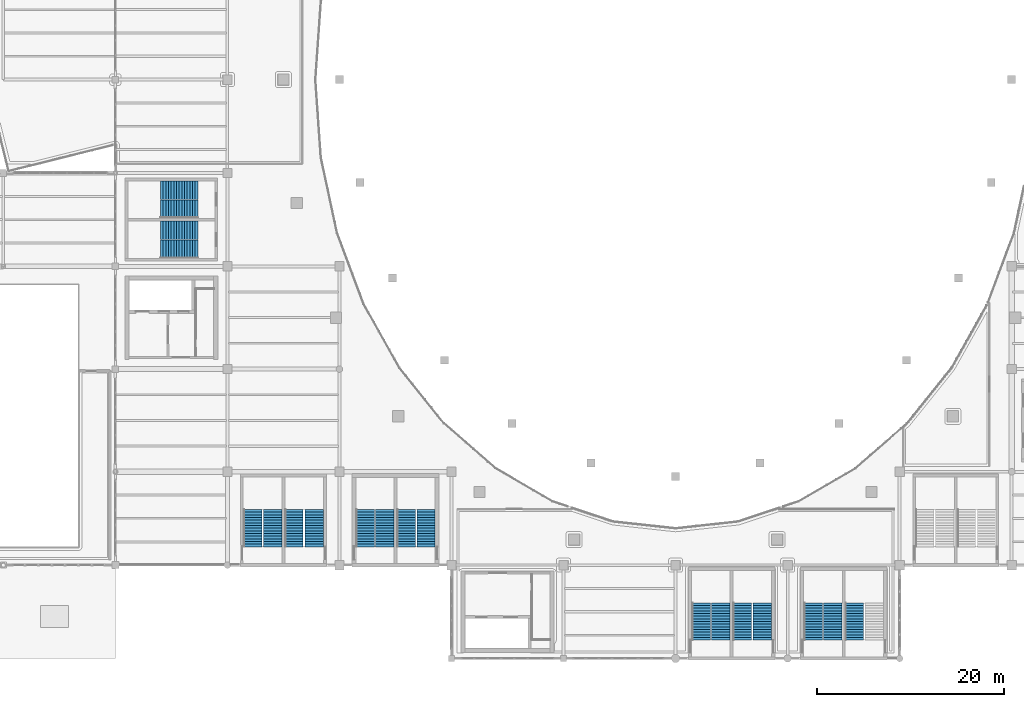
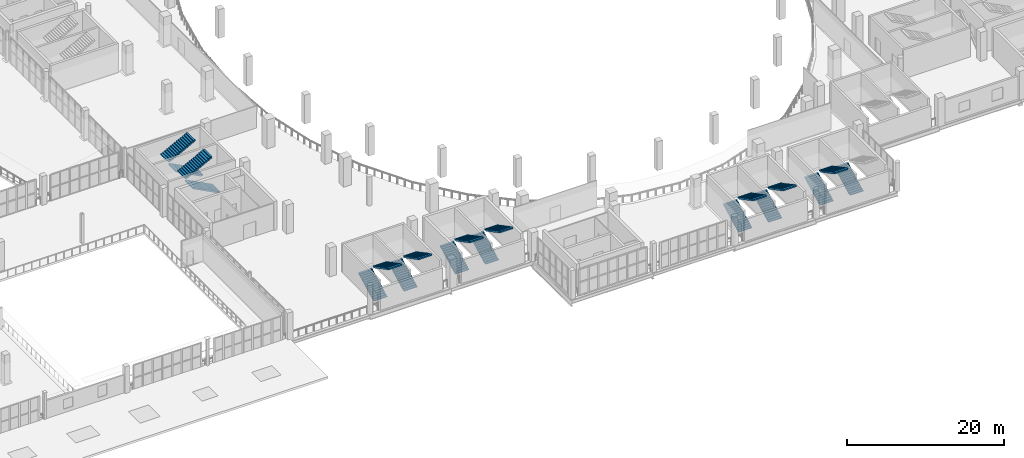
# One storey, part 87 of 108: 19 stair flights, 10 elements without a shape of their own.
"""IFC4 building model written with IfcOpenShell, lengths in metres."""

from ifc_helpers import new_model, si_unit, direction, frame, origin, place, context, subcontext, project, spatial, polyline, outline, extrude, material, layer, layer_set, type_object, element, aggregate, save


model = new_model("IFC4")

# Units and contexts
model_context = context("Model", 3, precision=1e-05, world=origin(), true_north=direction((0.0, 1.0)))
body_context = subcontext(model_context, "Body", "Model", "MODEL_VIEW")
ifc_project = project(units=[si_unit("LENGTHUNIT", "METRE"), si_unit("AREAUNIT", "SQUARE_METRE"), si_unit("VOLUMEUNIT", "CUBIC_METRE"), si_unit("PLANEANGLEUNIT", "RADIAN"), si_unit("MASSUNIT", "GRAM", prefix="KILO")], contexts=[model_context])

# Site, building, storey
site_placement = place(None, origin())
site = spatial("IfcSite", under=ifc_project, at=site_placement, CompositionType="ELEMENT")
building_placement = place(site_placement, origin())
building = spatial("IfcBuilding", under=site, at=building_placement, Name="Brinegate Civic Arena", CompositionType="ELEMENT")
storey_placement = place(building_placement, frame((0.0, 0.0, 10.199951171875)))
storey = spatial("IfcBuildingStorey", under=building, at=storey_placement, Name="L02", CompositionType="ELEMENT", Elevation=10.199951171875)

# Stair, stair flights
ifc_material = material(Name="Concrete C40/50", Category="concrete")
stair_type_1 = type_object("IfcStairType", Name="STAIR-EXIT-3700", PredefinedType="HALF_TURN_STAIR", material=ifc_material)
stair_1_placement = place(storey_placement, origin())
stair_1 = element("IfcStair", 1, at=stair_1_placement, inside=storey, type_object=stair_type_1, Name="Protected Exit Stair ST-02B (L02)", PredefinedType="HALF_TURN_STAIR")
ifc_layer_1 = layer(ifc_material, 0.179931640625, Name="Concrete C40/50")
ifc_layer_set_1 = layer_set([ifc_layer_1], Name="Concrete C40/50")
stair_flight_type_1 = type_object("IfcStairFlightType", Name="FLIGHT-EXIT-3700", PredefinedType="STRAIGHT", material=ifc_layer_set_1)
stair_flight_1_placement = place(storey_placement, frame((67.139892578125, 11.969970703125, 0.0), z_axis=(0.0, 0.0, 1.0), x_axis=(0.0, 1.0, 0.0)))
stair_flight_1 = element("IfcStairFlight", 2, at=stair_flight_1_placement, type_object=stair_flight_type_1, Name="ST-02B flight 1", NumberOfRisers=15, NumberOfTreads=14, PredefinedType="STRAIGHT", RiserHeight=0.15, TreadLength=0.285, context=body_context, shape_type="SweptSolid", body=[
    extrude(outline(polyline([(0.0, 0.0), (0.0, 0.14990234375), (0.284912109375, 0.14990234375), (0.284912109375, 0.300048828125), (0.570068359375, 0.300048828125), (0.570068359375, 0.449951171875), (0.85498046875, 0.449951171875), (0.85498046875, 0.60009765625), (1.139892578125, 0.60009765625), (1.139892578125, 0.75), (1.425048828125, 0.75), (1.425048828125, 0.89990234375), (1.7099609375, 0.89990234375), (1.7099609375, 1.050048828125), (1.9951171875, 1.050048828125), (1.9951171875, 1.199951171875), (2.280029296875, 1.199951171875), (2.280029296875, 1.35009765625), (2.56494140625, 1.35009765625), (2.56494140625, 1.5), (2.85009765625, 1.5), (2.85009765625, 1.64990234375), (3.135009765625, 1.64990234375), (3.135009765625, 1.800048828125), (3.419921875, 1.800048828125), (3.419921875, 1.949951171875), (3.705078125, 1.949951171875), (3.705078125, 2.10009765625), (3.989990234375, 2.10009765625), (3.989990234375, 2.25), (3.989990234375, 1.896728515625), (0.38623046875, 0.0), (0.0, 0.0)])), frame((0.0, 0.97998046875, 0.0), z_axis=(0.0, -1.0, 0.0), x_axis=(1.0, 0.0, 0.0)), (0.0, 0.0, 1.0), 1.9599609375),
])
stair_flight_2_placement = place(storey_placement, frame((69.31005859375, 15.9599609375, 2.25), z_axis=(0.0, 0.0, 1.0), x_axis=(0.0, -1.0, 0.0)))
stair_flight_2 = element("IfcStairFlight", 3, at=stair_flight_2_placement, type_object=stair_flight_type_1, Name="ST-02B flight 2", NumberOfRisers=15, NumberOfTreads=14, PredefinedType="STRAIGHT", RiserHeight=0.15, TreadLength=0.285, context=body_context, shape_type="SweptSolid", body=[
    extrude(outline(polyline([(0.0, 0.0), (0.0, 0.14990234375), (0.284912109375, 0.14990234375), (0.284912109375, 0.300048828125), (0.570068359375, 0.300048828125), (0.570068359375, 0.449951171875), (0.85498046875, 0.449951171875), (0.85498046875, 0.60009765625), (1.139892578125, 0.60009765625), (1.139892578125, 0.75), (1.425048828125, 0.75), (1.425048828125, 0.89990234375), (1.7099609375, 0.89990234375), (1.7099609375, 1.050048828125), (1.9951171875, 1.050048828125), (1.9951171875, 1.199951171875), (2.280029296875, 1.199951171875), (2.280029296875, 1.35009765625), (2.56494140625, 1.35009765625), (2.56494140625, 1.5), (2.85009765625, 1.5), (2.85009765625, 1.64990234375), (3.135009765625, 1.64990234375), (3.135009765625, 1.800048828125), (3.419921875, 1.800048828125), (3.419921875, 1.949951171875), (3.705078125, 1.949951171875), (3.705078125, 2.10009765625), (3.989990234375, 2.10009765625), (3.989990234375, 2.25), (3.989990234375, 1.896728515625), (0.38623046875, 0.0), (0.0, 0.0)])), frame((0.0, 0.97998046875, 0.0), z_axis=(0.0, -1.0, 0.0), x_axis=(1.0, 0.0, 0.0)), (0.0, 0.0, 1.0), 1.9599609375),
])
aggregate(stair_1, [stair_flight_1, stair_flight_2])

# Stair, stair flight
stair_2_placement = place(storey_placement, origin())
stair_2 = element("IfcStair", 4, at=stair_2_placement, inside=storey, type_object=stair_type_1, Name="Protected Exit Stair ST-04B (L02)", PredefinedType="HALF_TURN_STAIR")
stair_flight_3_placement = place(storey_placement, frame((127.139892578125, 1.969970703125, 0.0), z_axis=(0.0, 0.0, 1.0), x_axis=(0.0, 1.0, 0.0)))
stair_flight_3 = element("IfcStairFlight", 5, at=stair_flight_3_placement, type_object=stair_flight_type_1, Name="ST-04B flight 1", NumberOfRisers=15, NumberOfTreads=14, PredefinedType="STRAIGHT", RiserHeight=0.15, TreadLength=0.285, context=body_context, shape_type="SweptSolid", body=[
    extrude(outline(polyline([(0.0, 0.0), (0.0, 0.14990234375), (0.284912109375, 0.14990234375), (0.284912109375, 0.300048828125), (0.570068359375, 0.300048828125), (0.570068359375, 0.449951171875), (0.85498046875, 0.449951171875), (0.85498046875, 0.60009765625), (1.139892578125, 0.60009765625), (1.139892578125, 0.75), (1.425048828125, 0.75), (1.425048828125, 0.89990234375), (1.7099609375, 0.89990234375), (1.7099609375, 1.050048828125), (1.9951171875, 1.050048828125), (1.9951171875, 1.199951171875), (2.280029296875, 1.199951171875), (2.280029296875, 1.35009765625), (2.56494140625, 1.35009765625), (2.56494140625, 1.5), (2.85009765625, 1.5), (2.85009765625, 1.64990234375), (3.135009765625, 1.64990234375), (3.135009765625, 1.800048828125), (3.419921875, 1.800048828125), (3.419921875, 1.949951171875), (3.705078125, 1.949951171875), (3.705078125, 2.10009765625), (3.989990234375, 2.10009765625), (3.989990234375, 2.25), (3.989990234375, 1.896728515625), (0.38623046875, 0.0), (0.0, 0.0)])), frame((0.0, 0.97998046875, 0.0), z_axis=(0.0, -1.0, 0.0), x_axis=(1.0, 0.0, 0.0)), (0.0, 0.0, 1.0), 1.9599609375),
])
aggregate(stair_2, [stair_flight_3])

# Stair, stair flights
stair_3_placement = place(storey_placement, origin())
stair_3 = element("IfcStair", 6, at=stair_3_placement, inside=storey, type_object=stair_type_1, Name="Protected Exit Stair ST-08B (L02)", PredefinedType="HALF_TURN_STAIR")
stair_flight_4_placement = place(storey_placement, frame((56.830078125, 48.139892578125, 0.0), z_axis=(0.0, 0.0, 1.0), x_axis=(-1.0, 0.0, 0.0)))
stair_flight_4 = element("IfcStairFlight", 7, at=stair_flight_4_placement, type_object=stair_flight_type_1, Name="ST-08B flight 1", NumberOfRisers=15, NumberOfTreads=14, PredefinedType="STRAIGHT", RiserHeight=0.15, TreadLength=0.285, context=body_context, shape_type="SweptSolid", body=[
    extrude(outline(polyline([(0.0, 0.0), (0.0, 0.14990234375), (0.284912109375, 0.14990234375), (0.284912109375, 0.300048828125), (0.570068359375, 0.300048828125), (0.570068359375, 0.449951171875), (0.85498046875, 0.449951171875), (0.85498046875, 0.60009765625), (1.139892578125, 0.60009765625), (1.139892578125, 0.75), (1.425048828125, 0.75), (1.425048828125, 0.89990234375), (1.7099609375, 0.89990234375), (1.7099609375, 1.050048828125), (1.9951171875, 1.050048828125), (1.9951171875, 1.199951171875), (2.280029296875, 1.199951171875), (2.280029296875, 1.35009765625), (2.56494140625, 1.35009765625), (2.56494140625, 1.5), (2.85009765625, 1.5), (2.85009765625, 1.64990234375), (3.135009765625, 1.64990234375), (3.135009765625, 1.800048828125), (3.419921875, 1.800048828125), (3.419921875, 1.949951171875), (3.705078125, 1.949951171875), (3.705078125, 2.10009765625), (3.989990234375, 2.10009765625), (3.989990234375, 2.25), (3.989990234375, 1.896728515625), (0.38623046875, 0.0), (0.0, 0.0)])), frame((0.0, 0.97998046875, 0.0), z_axis=(0.0, -1.0, 0.0), x_axis=(1.0, 0.0, 0.0)), (0.0, 0.0, 1.0), 1.9599609375),
])
stair_flight_5_placement = place(storey_placement, frame((52.840087890625, 50.159912109375, 2.25), z_axis=(0.0, 0.0, 1.0), x_axis=(1.0, 0.0, 0.0)))
stair_flight_5 = element("IfcStairFlight", 8, at=stair_flight_5_placement, type_object=stair_flight_type_1, Name="ST-08B flight 2", NumberOfRisers=15, NumberOfTreads=14, PredefinedType="STRAIGHT", RiserHeight=0.15, TreadLength=0.285, context=body_context, shape_type="SweptSolid", body=[
    extrude(outline(polyline([(0.0, 0.0), (0.0, 0.14990234375), (0.284912109375, 0.14990234375), (0.284912109375, 0.300048828125), (0.570068359375, 0.300048828125), (0.570068359375, 0.449951171875), (0.85498046875, 0.449951171875), (0.85498046875, 0.60009765625), (1.139892578125, 0.60009765625), (1.139892578125, 0.75), (1.425048828125, 0.75), (1.425048828125, 0.89990234375), (1.7099609375, 0.89990234375), (1.7099609375, 1.050048828125), (1.9951171875, 1.050048828125), (1.9951171875, 1.199951171875), (2.280029296875, 1.199951171875), (2.280029296875, 1.35009765625), (2.56494140625, 1.35009765625), (2.56494140625, 1.5), (2.85009765625, 1.5), (2.85009765625, 1.64990234375), (3.135009765625, 1.64990234375), (3.135009765625, 1.800048828125), (3.419921875, 1.800048828125), (3.419921875, 1.949951171875), (3.705078125, 1.949951171875), (3.705078125, 2.10009765625), (3.989990234375, 2.10009765625), (3.989990234375, 2.25), (3.989990234375, 1.896728515625), (0.38623046875, 0.0), (0.0, 0.0)])), frame((0.0, 0.97998046875, 0.0), z_axis=(0.0, -1.0, 0.0), x_axis=(1.0, 0.0, 0.0)), (0.0, 0.0, 1.0), 1.9599609375),
])
aggregate(stair_3, [stair_flight_4, stair_flight_5])

stair_4_placement = place(storey_placement, origin())
stair_4 = element("IfcStair", 9, at=stair_4_placement, inside=storey, type_object=stair_type_1, Name="Protected Exit Stair ST-12B (L02)", PredefinedType="HALF_TURN_STAIR")
stair_flight_6_placement = place(storey_placement, frame((79.139892578125, 11.969970703125, 0.0), z_axis=(0.0, 0.0, 1.0), x_axis=(0.0, 1.0, 0.0)))
stair_flight_6 = element("IfcStairFlight", 10, at=stair_flight_6_placement, type_object=stair_flight_type_1, Name="ST-12B flight 1", NumberOfRisers=15, NumberOfTreads=14, PredefinedType="STRAIGHT", RiserHeight=0.15, TreadLength=0.285, context=body_context, shape_type="SweptSolid", body=[
    extrude(outline(polyline([(0.0, 0.0), (0.0, 0.14990234375), (0.284912109375, 0.14990234375), (0.284912109375, 0.300048828125), (0.570068359375, 0.300048828125), (0.570068359375, 0.449951171875), (0.85498046875, 0.449951171875), (0.85498046875, 0.60009765625), (1.139892578125, 0.60009765625), (1.139892578125, 0.75), (1.425048828125, 0.75), (1.425048828125, 0.89990234375), (1.7099609375, 0.89990234375), (1.7099609375, 1.050048828125), (1.9951171875, 1.050048828125), (1.9951171875, 1.199951171875), (2.280029296875, 1.199951171875), (2.280029296875, 1.35009765625), (2.56494140625, 1.35009765625), (2.56494140625, 1.5), (2.85009765625, 1.5), (2.85009765625, 1.64990234375), (3.135009765625, 1.64990234375), (3.135009765625, 1.800048828125), (3.419921875, 1.800048828125), (3.419921875, 1.949951171875), (3.705078125, 1.949951171875), (3.705078125, 2.10009765625), (3.989990234375, 2.10009765625), (3.989990234375, 2.25), (3.989990234375, 1.896728515625), (0.38623046875, 0.0), (0.0, 0.0)])), frame((0.0, 0.97998046875, 0.0), z_axis=(0.0, -1.0, 0.0), x_axis=(1.0, 0.0, 0.0)), (0.0, 0.0, 1.0), 1.9599609375),
])
stair_flight_7_placement = place(storey_placement, frame((81.260009765625, 15.9599609375, 2.25), z_axis=(0.0, 0.0, 1.0), x_axis=(0.0, -1.0, 0.0)))
stair_flight_7 = element("IfcStairFlight", 11, at=stair_flight_7_placement, type_object=stair_flight_type_1, Name="ST-12B flight 2", NumberOfRisers=15, NumberOfTreads=14, PredefinedType="STRAIGHT", RiserHeight=0.15, TreadLength=0.285, context=body_context, shape_type="SweptSolid", body=[
    extrude(outline(polyline([(0.0, 0.0), (0.0, 0.14990234375), (0.284912109375, 0.14990234375), (0.284912109375, 0.300048828125), (0.570068359375, 0.300048828125), (0.570068359375, 0.449951171875), (0.85498046875, 0.449951171875), (0.85498046875, 0.60009765625), (1.139892578125, 0.60009765625), (1.139892578125, 0.75), (1.425048828125, 0.75), (1.425048828125, 0.89990234375), (1.7099609375, 0.89990234375), (1.7099609375, 1.050048828125), (1.9951171875, 1.050048828125), (1.9951171875, 1.199951171875), (2.280029296875, 1.199951171875), (2.280029296875, 1.35009765625), (2.56494140625, 1.35009765625), (2.56494140625, 1.5), (2.85009765625, 1.5), (2.85009765625, 1.64990234375), (3.135009765625, 1.64990234375), (3.135009765625, 1.800048828125), (3.419921875, 1.800048828125), (3.419921875, 1.949951171875), (3.705078125, 1.949951171875), (3.705078125, 2.10009765625), (3.989990234375, 2.10009765625), (3.989990234375, 2.25), (3.989990234375, 1.896728515625), (0.38623046875, 0.0), (0.0, 0.0)])), frame((0.0, 0.97998046875, 0.0), z_axis=(0.0, -1.0, 0.0), x_axis=(1.0, 0.0, 0.0)), (0.0, 0.0, 1.0), 1.9599609375),
])
aggregate(stair_4, [stair_flight_6, stair_flight_7])

stair_5_placement = place(storey_placement, origin())
stair_5 = element("IfcStair", 12, at=stair_5_placement, inside=storey, type_object=stair_type_1, Name="Protected Exit Stair ST-16B (L02)", PredefinedType="HALF_TURN_STAIR")
stair_flight_8_placement = place(storey_placement, frame((115.139892578125, 1.969970703125, 0.0), z_axis=(0.0, 0.0, 1.0), x_axis=(0.0, 1.0, 0.0)))
stair_flight_8 = element("IfcStairFlight", 13, at=stair_flight_8_placement, type_object=stair_flight_type_1, Name="ST-16B flight 1", NumberOfRisers=15, NumberOfTreads=14, PredefinedType="STRAIGHT", RiserHeight=0.15, TreadLength=0.285, context=body_context, shape_type="SweptSolid", body=[
    extrude(outline(polyline([(0.0, 0.0), (0.0, 0.14990234375), (0.284912109375, 0.14990234375), (0.284912109375, 0.300048828125), (0.570068359375, 0.300048828125), (0.570068359375, 0.449951171875), (0.85498046875, 0.449951171875), (0.85498046875, 0.60009765625), (1.139892578125, 0.60009765625), (1.139892578125, 0.75), (1.425048828125, 0.75), (1.425048828125, 0.89990234375), (1.7099609375, 0.89990234375), (1.7099609375, 1.050048828125), (1.9951171875, 1.050048828125), (1.9951171875, 1.199951171875), (2.280029296875, 1.199951171875), (2.280029296875, 1.35009765625), (2.56494140625, 1.35009765625), (2.56494140625, 1.5), (2.85009765625, 1.5), (2.85009765625, 1.64990234375), (3.135009765625, 1.64990234375), (3.135009765625, 1.800048828125), (3.419921875, 1.800048828125), (3.419921875, 1.949951171875), (3.705078125, 1.949951171875), (3.705078125, 2.10009765625), (3.989990234375, 2.10009765625), (3.989990234375, 2.25), (3.989990234375, 1.896728515625), (0.38623046875, 0.0), (0.0, 0.0)])), frame((0.0, 0.97998046875, 0.0), z_axis=(0.0, -1.0, 0.0), x_axis=(1.0, 0.0, 0.0)), (0.0, 0.0, 1.0), 1.9599609375),
])
stair_flight_9_placement = place(storey_placement, frame((117.280029296875, 5.9599609375, 2.25), z_axis=(0.0, 0.0, 1.0), x_axis=(0.0, -1.0, 0.0)))
stair_flight_9 = element("IfcStairFlight", 14, at=stair_flight_9_placement, type_object=stair_flight_type_1, Name="ST-16B flight 2", NumberOfRisers=15, NumberOfTreads=14, PredefinedType="STRAIGHT", RiserHeight=0.15, TreadLength=0.285, context=body_context, shape_type="SweptSolid", body=[
    extrude(outline(polyline([(0.0, 0.0), (0.0, 0.14990234375), (0.284912109375, 0.14990234375), (0.284912109375, 0.300048828125), (0.570068359375, 0.300048828125), (0.570068359375, 0.449951171875), (0.85498046875, 0.449951171875), (0.85498046875, 0.60009765625), (1.139892578125, 0.60009765625), (1.139892578125, 0.75), (1.425048828125, 0.75), (1.425048828125, 0.89990234375), (1.7099609375, 0.89990234375), (1.7099609375, 1.050048828125), (1.9951171875, 1.050048828125), (1.9951171875, 1.199951171875), (2.280029296875, 1.199951171875), (2.280029296875, 1.35009765625), (2.56494140625, 1.35009765625), (2.56494140625, 1.5), (2.85009765625, 1.5), (2.85009765625, 1.64990234375), (3.135009765625, 1.64990234375), (3.135009765625, 1.800048828125), (3.419921875, 1.800048828125), (3.419921875, 1.949951171875), (3.705078125, 1.949951171875), (3.705078125, 2.10009765625), (3.989990234375, 2.10009765625), (3.989990234375, 2.25), (3.989990234375, 1.896728515625), (0.38623046875, 0.0), (0.0, 0.0)])), frame((0.0, 0.97998046875, 0.0), z_axis=(0.0, -1.0, 0.0), x_axis=(1.0, 0.0, 0.0)), (0.0, 0.0, 1.0), 1.9599609375),
])
aggregate(stair_5, [stair_flight_8, stair_flight_9])

stair_type_2 = type_object("IfcStairType", Name="STAIR-EXIT-3850", PredefinedType="HALF_TURN_STAIR", material=ifc_material)
stair_6_placement = place(storey_placement, origin())
stair_6 = element("IfcStair", 15, at=stair_6_placement, inside=storey, type_object=stair_type_2, Name="Protected Exit Stair ST-02A (L02)", PredefinedType="HALF_TURN_STAIR")
ifc_layer_2 = layer(ifc_material, 0.179931640625, Name="Concrete C40/50")
ifc_layer_set_2 = layer_set([ifc_layer_2], Name="Concrete C40/50")
stair_flight_type_2 = type_object("IfcStairFlightType", Name="FLIGHT-EXIT-3850", PredefinedType="STRAIGHT", material=ifc_layer_set_2)
stair_flight_10_placement = place(storey_placement, frame((62.699951171875, 11.969970703125, 0.0), z_axis=(0.0, 0.0, 1.0), x_axis=(0.0, 1.0, 0.0)))
stair_flight_10 = element("IfcStairFlight", 16, at=stair_flight_10_placement, type_object=stair_flight_type_2, Name="ST-02A flight 1", NumberOfRisers=15, NumberOfTreads=14, PredefinedType="STRAIGHT", RiserHeight=0.15, TreadLength=0.285, context=body_context, shape_type="SweptSolid", body=[
    extrude(outline(polyline([(0.0, 0.0), (0.0, 0.14990234375), (0.284912109375, 0.14990234375), (0.284912109375, 0.300048828125), (0.570068359375, 0.300048828125), (0.570068359375, 0.449951171875), (0.85498046875, 0.449951171875), (0.85498046875, 0.60009765625), (1.139892578125, 0.60009765625), (1.139892578125, 0.75), (1.425048828125, 0.75), (1.425048828125, 0.89990234375), (1.7099609375, 0.89990234375), (1.7099609375, 1.050048828125), (1.9951171875, 1.050048828125), (1.9951171875, 1.199951171875), (2.280029296875, 1.199951171875), (2.280029296875, 1.35009765625), (2.56494140625, 1.35009765625), (2.56494140625, 1.5), (2.85009765625, 1.5), (2.85009765625, 1.64990234375), (3.135009765625, 1.64990234375), (3.135009765625, 1.800048828125), (3.419921875, 1.800048828125), (3.419921875, 1.949951171875), (3.705078125, 1.949951171875), (3.705078125, 2.10009765625), (3.989990234375, 2.10009765625), (3.989990234375, 2.25), (3.989990234375, 1.896728515625), (0.38623046875, 0.0), (0.0, 0.0)])), frame((0.0, 0.989990234375, 0.0), z_axis=(0.0, -1.0, 0.0), x_axis=(1.0, 0.0, 0.0)), (0.0, 0.0, 1.0), 1.97998046875),
])
stair_flight_11_placement = place(storey_placement, frame((64.85009765625, 15.9599609375, 2.25), z_axis=(0.0, 0.0, 1.0), x_axis=(0.0, -1.0, 0.0)))
stair_flight_11 = element("IfcStairFlight", 17, at=stair_flight_11_placement, type_object=stair_flight_type_2, Name="ST-02A flight 2", NumberOfRisers=15, NumberOfTreads=14, PredefinedType="STRAIGHT", RiserHeight=0.15, TreadLength=0.285, context=body_context, shape_type="SweptSolid", body=[
    extrude(outline(polyline([(0.0, 0.0), (0.0, 0.14990234375), (0.284912109375, 0.14990234375), (0.284912109375, 0.300048828125), (0.570068359375, 0.300048828125), (0.570068359375, 0.449951171875), (0.85498046875, 0.449951171875), (0.85498046875, 0.60009765625), (1.139892578125, 0.60009765625), (1.139892578125, 0.75), (1.425048828125, 0.75), (1.425048828125, 0.89990234375), (1.7099609375, 0.89990234375), (1.7099609375, 1.050048828125), (1.9951171875, 1.050048828125), (1.9951171875, 1.199951171875), (2.280029296875, 1.199951171875), (2.280029296875, 1.35009765625), (2.56494140625, 1.35009765625), (2.56494140625, 1.5), (2.85009765625, 1.5), (2.85009765625, 1.64990234375), (3.135009765625, 1.64990234375), (3.135009765625, 1.800048828125), (3.419921875, 1.800048828125), (3.419921875, 1.949951171875), (3.705078125, 1.949951171875), (3.705078125, 2.10009765625), (3.989990234375, 2.10009765625), (3.989990234375, 2.25), (3.989990234375, 1.896728515625), (0.38623046875, 0.0), (0.0, 0.0)])), frame((0.0, 0.989990234375, 0.0), z_axis=(0.0, -1.0, 0.0), x_axis=(1.0, 0.0, 0.0)), (0.0, 0.0, 1.0), 1.97998046875),
])
aggregate(stair_6, [stair_flight_10, stair_flight_11])

stair_7_placement = place(storey_placement, origin())
stair_7 = element("IfcStair", 18, at=stair_7_placement, inside=storey, type_object=stair_type_2, Name="Protected Exit Stair ST-04A (L02)", PredefinedType="HALF_TURN_STAIR")
stair_flight_12_placement = place(storey_placement, frame((122.72998046875, 1.969970703125, 0.0), z_axis=(0.0, 0.0, 1.0), x_axis=(0.0, 1.0, 0.0)))
stair_flight_12 = element("IfcStairFlight", 19, at=stair_flight_12_placement, type_object=stair_flight_type_2, Name="ST-04A flight 1", NumberOfRisers=15, NumberOfTreads=14, PredefinedType="STRAIGHT", RiserHeight=0.15, TreadLength=0.285, context=body_context, shape_type="SweptSolid", body=[
    extrude(outline(polyline([(0.0, 0.0), (0.0, 0.14990234375), (0.284912109375, 0.14990234375), (0.284912109375, 0.300048828125), (0.570068359375, 0.300048828125), (0.570068359375, 0.449951171875), (0.85498046875, 0.449951171875), (0.85498046875, 0.60009765625), (1.139892578125, 0.60009765625), (1.139892578125, 0.75), (1.425048828125, 0.75), (1.425048828125, 0.89990234375), (1.7099609375, 0.89990234375), (1.7099609375, 1.050048828125), (1.9951171875, 1.050048828125), (1.9951171875, 1.199951171875), (2.280029296875, 1.199951171875), (2.280029296875, 1.35009765625), (2.56494140625, 1.35009765625), (2.56494140625, 1.5), (2.85009765625, 1.5), (2.85009765625, 1.64990234375), (3.135009765625, 1.64990234375), (3.135009765625, 1.800048828125), (3.419921875, 1.800048828125), (3.419921875, 1.949951171875), (3.705078125, 1.949951171875), (3.705078125, 2.10009765625), (3.989990234375, 2.10009765625), (3.989990234375, 2.25), (3.989990234375, 1.896728515625), (0.38623046875, 0.0), (0.0, 0.0)])), frame((0.0, 0.989990234375, 0.0), z_axis=(0.0, -1.0, 0.0), x_axis=(1.0, 0.0, 0.0)), (0.0, 0.0, 1.0), 1.97998046875),
])
stair_flight_13_placement = place(storey_placement, frame((124.85009765625, 5.9599609375, 2.25), z_axis=(0.0, 0.0, 1.0), x_axis=(0.0, -1.0, 0.0)))
stair_flight_13 = element("IfcStairFlight", 20, at=stair_flight_13_placement, type_object=stair_flight_type_2, Name="ST-04A flight 2", NumberOfRisers=15, NumberOfTreads=14, PredefinedType="STRAIGHT", RiserHeight=0.15, TreadLength=0.285, context=body_context, shape_type="SweptSolid", body=[
    extrude(outline(polyline([(0.0, 0.0), (0.0, 0.14990234375), (0.284912109375, 0.14990234375), (0.284912109375, 0.300048828125), (0.570068359375, 0.300048828125), (0.570068359375, 0.449951171875), (0.85498046875, 0.449951171875), (0.85498046875, 0.60009765625), (1.139892578125, 0.60009765625), (1.139892578125, 0.75), (1.425048828125, 0.75), (1.425048828125, 0.89990234375), (1.7099609375, 0.89990234375), (1.7099609375, 1.050048828125), (1.9951171875, 1.050048828125), (1.9951171875, 1.199951171875), (2.280029296875, 1.199951171875), (2.280029296875, 1.35009765625), (2.56494140625, 1.35009765625), (2.56494140625, 1.5), (2.85009765625, 1.5), (2.85009765625, 1.64990234375), (3.135009765625, 1.64990234375), (3.135009765625, 1.800048828125), (3.419921875, 1.800048828125), (3.419921875, 1.949951171875), (3.705078125, 1.949951171875), (3.705078125, 2.10009765625), (3.989990234375, 2.10009765625), (3.989990234375, 2.25), (3.989990234375, 1.896728515625), (0.38623046875, 0.0), (0.0, 0.0)])), frame((0.0, 0.989990234375, 0.0), z_axis=(0.0, -1.0, 0.0), x_axis=(1.0, 0.0, 0.0)), (0.0, 0.0, 1.0), 1.97998046875),
])
aggregate(stair_7, [stair_flight_12, stair_flight_13])

stair_8_placement = place(storey_placement, origin())
stair_8 = element("IfcStair", 21, at=stair_8_placement, inside=storey, type_object=stair_type_2, Name="Protected Exit Stair ST-08A (L02)", PredefinedType="HALF_TURN_STAIR")
stair_flight_14_placement = place(storey_placement, frame((56.830078125, 43.85009765625, 0.0), z_axis=(0.0, 0.0, 1.0), x_axis=(-1.0, 0.0, 0.0)))
stair_flight_14 = element("IfcStairFlight", 22, at=stair_flight_14_placement, type_object=stair_flight_type_2, Name="ST-08A flight 1", NumberOfRisers=15, NumberOfTreads=14, PredefinedType="STRAIGHT", RiserHeight=0.15, TreadLength=0.285, context=body_context, shape_type="SweptSolid", body=[
    extrude(outline(polyline([(0.0, 0.0), (0.0, 0.14990234375), (0.284912109375, 0.14990234375), (0.284912109375, 0.300048828125), (0.570068359375, 0.300048828125), (0.570068359375, 0.449951171875), (0.85498046875, 0.449951171875), (0.85498046875, 0.60009765625), (1.139892578125, 0.60009765625), (1.139892578125, 0.75), (1.425048828125, 0.75), (1.425048828125, 0.89990234375), (1.7099609375, 0.89990234375), (1.7099609375, 1.050048828125), (1.9951171875, 1.050048828125), (1.9951171875, 1.199951171875), (2.280029296875, 1.199951171875), (2.280029296875, 1.35009765625), (2.56494140625, 1.35009765625), (2.56494140625, 1.5), (2.85009765625, 1.5), (2.85009765625, 1.64990234375), (3.135009765625, 1.64990234375), (3.135009765625, 1.800048828125), (3.419921875, 1.800048828125), (3.419921875, 1.949951171875), (3.705078125, 1.949951171875), (3.705078125, 2.10009765625), (3.989990234375, 2.10009765625), (3.989990234375, 2.25), (3.989990234375, 1.896728515625), (0.38623046875, 0.0), (0.0, 0.0)])), frame((0.0, 0.989990234375, 0.0), z_axis=(0.0, -1.0, 0.0), x_axis=(1.0, 0.0, 0.0)), (0.0, 0.0, 1.0), 1.97998046875),
])
stair_flight_15_placement = place(storey_placement, frame((52.840087890625, 45.85009765625, 2.25), z_axis=(0.0, 0.0, 1.0), x_axis=(1.0, 0.0, 0.0)))
stair_flight_15 = element("IfcStairFlight", 23, at=stair_flight_15_placement, type_object=stair_flight_type_2, Name="ST-08A flight 2", NumberOfRisers=15, NumberOfTreads=14, PredefinedType="STRAIGHT", RiserHeight=0.15, TreadLength=0.285, context=body_context, shape_type="SweptSolid", body=[
    extrude(outline(polyline([(0.0, 0.0), (0.0, 0.14990234375), (0.284912109375, 0.14990234375), (0.284912109375, 0.300048828125), (0.570068359375, 0.300048828125), (0.570068359375, 0.449951171875), (0.85498046875, 0.449951171875), (0.85498046875, 0.60009765625), (1.139892578125, 0.60009765625), (1.139892578125, 0.75), (1.425048828125, 0.75), (1.425048828125, 0.89990234375), (1.7099609375, 0.89990234375), (1.7099609375, 1.050048828125), (1.9951171875, 1.050048828125), (1.9951171875, 1.199951171875), (2.280029296875, 1.199951171875), (2.280029296875, 1.35009765625), (2.56494140625, 1.35009765625), (2.56494140625, 1.5), (2.85009765625, 1.5), (2.85009765625, 1.64990234375), (3.135009765625, 1.64990234375), (3.135009765625, 1.800048828125), (3.419921875, 1.800048828125), (3.419921875, 1.949951171875), (3.705078125, 1.949951171875), (3.705078125, 2.10009765625), (3.989990234375, 2.10009765625), (3.989990234375, 2.25), (3.989990234375, 1.896728515625), (0.38623046875, 0.0), (0.0, 0.0)])), frame((0.0, 0.989990234375, 0.0), z_axis=(0.0, -1.0, 0.0), x_axis=(1.0, 0.0, 0.0)), (0.0, 0.0, 1.0), 1.97998046875),
])
aggregate(stair_8, [stair_flight_14, stair_flight_15])

stair_9_placement = place(storey_placement, origin())
stair_9 = element("IfcStair", 24, at=stair_9_placement, inside=storey, type_object=stair_type_2, Name="Protected Exit Stair ST-12A (L02)", PredefinedType="HALF_TURN_STAIR")
stair_flight_16_placement = place(storey_placement, frame((74.75, 11.969970703125, 0.0), z_axis=(0.0, 0.0, 1.0), x_axis=(0.0, 1.0, 0.0)))
stair_flight_16 = element("IfcStairFlight", 25, at=stair_flight_16_placement, type_object=stair_flight_type_2, Name="ST-12A flight 1", NumberOfRisers=15, NumberOfTreads=14, PredefinedType="STRAIGHT", RiserHeight=0.15, TreadLength=0.285, context=body_context, shape_type="SweptSolid", body=[
    extrude(outline(polyline([(0.0, 0.0), (0.0, 0.14990234375), (0.284912109375, 0.14990234375), (0.284912109375, 0.300048828125), (0.570068359375, 0.300048828125), (0.570068359375, 0.449951171875), (0.85498046875, 0.449951171875), (0.85498046875, 0.60009765625), (1.139892578125, 0.60009765625), (1.139892578125, 0.75), (1.425048828125, 0.75), (1.425048828125, 0.89990234375), (1.7099609375, 0.89990234375), (1.7099609375, 1.050048828125), (1.9951171875, 1.050048828125), (1.9951171875, 1.199951171875), (2.280029296875, 1.199951171875), (2.280029296875, 1.35009765625), (2.56494140625, 1.35009765625), (2.56494140625, 1.5), (2.85009765625, 1.5), (2.85009765625, 1.64990234375), (3.135009765625, 1.64990234375), (3.135009765625, 1.800048828125), (3.419921875, 1.800048828125), (3.419921875, 1.949951171875), (3.705078125, 1.949951171875), (3.705078125, 2.10009765625), (3.989990234375, 2.10009765625), (3.989990234375, 2.25), (3.989990234375, 1.896728515625), (0.38623046875, 0.0), (0.0, 0.0)])), frame((0.0, 0.989990234375, 0.0), z_axis=(0.0, -1.0, 0.0), x_axis=(1.0, 0.0, 0.0)), (0.0, 0.0, 1.0), 1.97998046875),
])
stair_flight_17_placement = place(storey_placement, frame((76.85009765625, 15.9599609375, 2.25), z_axis=(0.0, 0.0, 1.0), x_axis=(0.0, -1.0, 0.0)))
stair_flight_17 = element("IfcStairFlight", 26, at=stair_flight_17_placement, type_object=stair_flight_type_2, Name="ST-12A flight 2", NumberOfRisers=15, NumberOfTreads=14, PredefinedType="STRAIGHT", RiserHeight=0.15, TreadLength=0.285, context=body_context, shape_type="SweptSolid", body=[
    extrude(outline(polyline([(0.0, 0.0), (0.0, 0.14990234375), (0.284912109375, 0.14990234375), (0.284912109375, 0.300048828125), (0.570068359375, 0.300048828125), (0.570068359375, 0.449951171875), (0.85498046875, 0.449951171875), (0.85498046875, 0.60009765625), (1.139892578125, 0.60009765625), (1.139892578125, 0.75), (1.425048828125, 0.75), (1.425048828125, 0.89990234375), (1.7099609375, 0.89990234375), (1.7099609375, 1.050048828125), (1.9951171875, 1.050048828125), (1.9951171875, 1.199951171875), (2.280029296875, 1.199951171875), (2.280029296875, 1.35009765625), (2.56494140625, 1.35009765625), (2.56494140625, 1.5), (2.85009765625, 1.5), (2.85009765625, 1.64990234375), (3.135009765625, 1.64990234375), (3.135009765625, 1.800048828125), (3.419921875, 1.800048828125), (3.419921875, 1.949951171875), (3.705078125, 1.949951171875), (3.705078125, 2.10009765625), (3.989990234375, 2.10009765625), (3.989990234375, 2.25), (3.989990234375, 1.896728515625), (0.38623046875, 0.0), (0.0, 0.0)])), frame((0.0, 0.989990234375, 0.0), z_axis=(0.0, -1.0, 0.0), x_axis=(1.0, 0.0, 0.0)), (0.0, 0.0, 1.0), 1.97998046875),
])
aggregate(stair_9, [stair_flight_16, stair_flight_17])

stair_10_placement = place(storey_placement, origin())
stair_10 = element("IfcStair", 27, at=stair_10_placement, inside=storey, type_object=stair_type_2, Name="Protected Exit Stair ST-16A (L02)", PredefinedType="HALF_TURN_STAIR")
stair_flight_18_placement = place(storey_placement, frame((110.72998046875, 1.969970703125, 0.0), z_axis=(0.0, 0.0, 1.0), x_axis=(0.0, 1.0, 0.0)))
stair_flight_18 = element("IfcStairFlight", 28, at=stair_flight_18_placement, type_object=stair_flight_type_2, Name="ST-16A flight 1", NumberOfRisers=15, NumberOfTreads=14, PredefinedType="STRAIGHT", RiserHeight=0.15, TreadLength=0.285, context=body_context, shape_type="SweptSolid", body=[
    extrude(outline(polyline([(0.0, 0.0), (0.0, 0.14990234375), (0.284912109375, 0.14990234375), (0.284912109375, 0.300048828125), (0.570068359375, 0.300048828125), (0.570068359375, 0.449951171875), (0.85498046875, 0.449951171875), (0.85498046875, 0.60009765625), (1.139892578125, 0.60009765625), (1.139892578125, 0.75), (1.425048828125, 0.75), (1.425048828125, 0.89990234375), (1.7099609375, 0.89990234375), (1.7099609375, 1.050048828125), (1.9951171875, 1.050048828125), (1.9951171875, 1.199951171875), (2.280029296875, 1.199951171875), (2.280029296875, 1.35009765625), (2.56494140625, 1.35009765625), (2.56494140625, 1.5), (2.85009765625, 1.5), (2.85009765625, 1.64990234375), (3.135009765625, 1.64990234375), (3.135009765625, 1.800048828125), (3.419921875, 1.800048828125), (3.419921875, 1.949951171875), (3.705078125, 1.949951171875), (3.705078125, 2.10009765625), (3.989990234375, 2.10009765625), (3.989990234375, 2.25), (3.989990234375, 1.896728515625), (0.38623046875, 0.0), (0.0, 0.0)])), frame((0.0, 0.989990234375, 0.0), z_axis=(0.0, -1.0, 0.0), x_axis=(1.0, 0.0, 0.0)), (0.0, 0.0, 1.0), 1.97998046875),
])
stair_flight_19_placement = place(storey_placement, frame((112.85009765625, 5.9599609375, 2.25), z_axis=(0.0, 0.0, 1.0), x_axis=(0.0, -1.0, 0.0)))
stair_flight_19 = element("IfcStairFlight", 29, at=stair_flight_19_placement, type_object=stair_flight_type_2, Name="ST-16A flight 2", NumberOfRisers=15, NumberOfTreads=14, PredefinedType="STRAIGHT", RiserHeight=0.15, TreadLength=0.285, context=body_context, shape_type="SweptSolid", body=[
    extrude(outline(polyline([(0.0, 0.0), (0.0, 0.14990234375), (0.284912109375, 0.14990234375), (0.284912109375, 0.300048828125), (0.570068359375, 0.300048828125), (0.570068359375, 0.449951171875), (0.85498046875, 0.449951171875), (0.85498046875, 0.60009765625), (1.139892578125, 0.60009765625), (1.139892578125, 0.75), (1.425048828125, 0.75), (1.425048828125, 0.89990234375), (1.7099609375, 0.89990234375), (1.7099609375, 1.050048828125), (1.9951171875, 1.050048828125), (1.9951171875, 1.199951171875), (2.280029296875, 1.199951171875), (2.280029296875, 1.35009765625), (2.56494140625, 1.35009765625), (2.56494140625, 1.5), (2.85009765625, 1.5), (2.85009765625, 1.64990234375), (3.135009765625, 1.64990234375), (3.135009765625, 1.800048828125), (3.419921875, 1.800048828125), (3.419921875, 1.949951171875), (3.705078125, 1.949951171875), (3.705078125, 2.10009765625), (3.989990234375, 2.10009765625), (3.989990234375, 2.25), (3.989990234375, 1.896728515625), (0.38623046875, 0.0), (0.0, 0.0)])), frame((0.0, 0.989990234375, 0.0), z_axis=(0.0, -1.0, 0.0), x_axis=(1.0, 0.0, 0.0)), (0.0, 0.0, 1.0), 1.97998046875),
])
aggregate(stair_10, [stair_flight_18, stair_flight_19])

save(model, "model.ifc")
